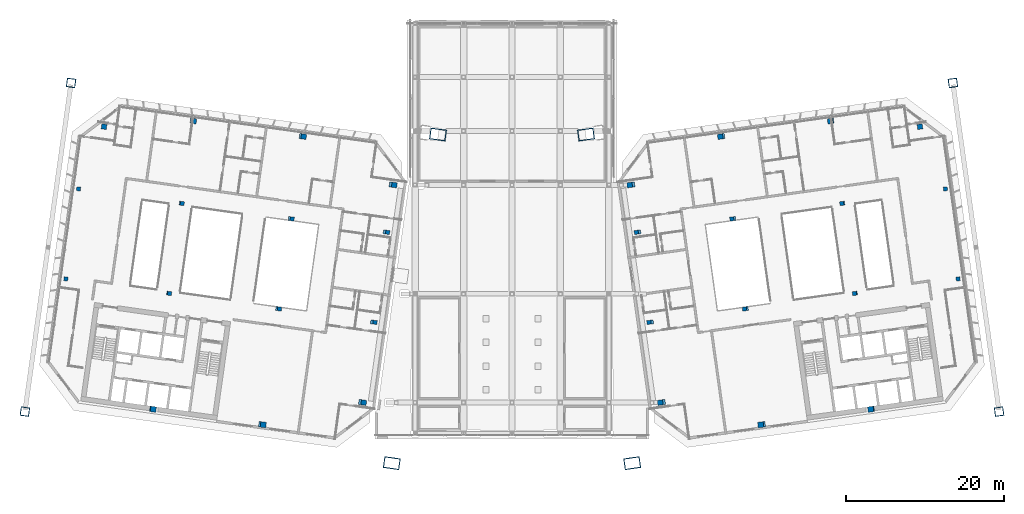
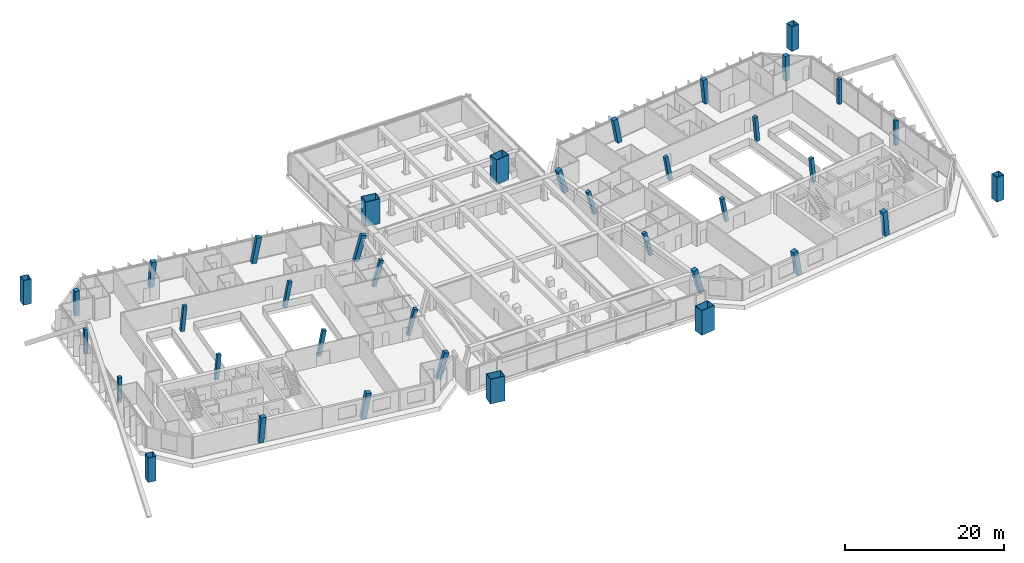
# One storey, part 1 of 28: 38 columns.
"""IFC4 building model written with IfcOpenShell, lengths in metres."""

from ifc_helpers import new_model, si_unit, direction, frame, origin, origin_2d, place, context, subcontext, project, spatial, rectangle, hollow_rectangle, extrude, material, material_profile, profile_set, type_object, element, save


model = new_model("IFC4")

# Units and contexts
model_context = context("Model", 3, precision=1e-05, world=origin(), true_north=direction((0.0, 1.0)))
body_context = subcontext(model_context, "Body", "Model", "MODEL_VIEW")
ifc_project = project(units=[si_unit("LENGTHUNIT", "METRE"), si_unit("AREAUNIT", "SQUARE_METRE"), si_unit("VOLUMEUNIT", "CUBIC_METRE"), si_unit("PLANEANGLEUNIT", "RADIAN"), si_unit("MASSUNIT", "GRAM", prefix="KILO")], contexts=[model_context])

# Site, building, storey
site_placement = place(None, origin())
site = spatial("IfcSite", under=ifc_project, at=site_placement, CompositionType="ELEMENT")
building_placement = place(site_placement, origin())
building = spatial("IfcBuilding", under=site, at=building_placement, Name="Mirante Cascada Hotel Towers", CompositionType="ELEMENT")
storey_placement = place(building_placement, frame((0.0, 0.0, 262.2)))
storey = spatial("IfcBuildingStorey", under=building, at=storey_placement, Name="L63", CompositionType="ELEMENT", Elevation=262.2)

# Columns
ifc_material_1 = material(Name="Steel ASTM A572 Gr 50", Category="steel")
ifc_material_profile_1 = material_profile(ifc_material_1, hollow_rectangle(XDim=1.1, YDim=1.1, WallThickness=0.05, at=origin_2d()), Name="Box column 1100x1100x50 ASTM A572 Gr 50")
ifc_profile_set_1 = profile_set([ifc_material_profile_1], Name="Steel ASTM A572 Gr 50")
column_type_1 = type_object("IfcColumnType", Name="Box column 1100x1100x50 ASTM A572 Gr 50", PredefinedType="COLUMN", material=ifc_profile_set_1)
for number, where, z_axis, x_axis, name in (
    (1, (-55.7951, 22.8316, 0.0), (0.0, 0.0, 1.0), (-0.9902681, 0.1391731, 0.0), "Mega column MC3 T1 L63"),
    (2, (-61.6404, -18.7596, 0.0), (0.0, 0.0, 1.0), (-0.9902681, 0.1391731, 0.0), "Mega column MC4 T1 L63"),
    (3, (55.7951, 22.8316, 0.0), (0.0, 0.0, 1.0), (0.9902681, 0.1391731, 0.0), "Mega column MC3 T2 L63"),
    (4, (61.6404, -18.7596, 0.0), (0.0, 0.0, 1.0), (0.9902681, 0.1391731, 0.0), "Mega column MC4 T2 L63"),
):
    element("IfcColumn", number, at=place(storey_placement, frame(where, z_axis=z_axis, x_axis=x_axis)), inside=storey, type_object=column_type_1, Name=name, PredefinedType="COLUMN", context=body_context, shape_type="SweptSolid", body=[
        extrude(hollow_rectangle(XDim=1.1, YDim=1.1, WallThickness=0.05, at=origin_2d()), origin(), (0.0, 0.0, 1.0), 3.8),
    ])
ifc_material_2 = material(Name="Steel ASTM A572 Gr 50", Category="steel")
ifc_material_profile_2 = material_profile(ifc_material_2, hollow_rectangle(XDim=2.0, YDim=1.4, WallThickness=0.06, at=origin_2d()), Name="Box column 1400x2000x60 ASTM A572 Gr 50")
ifc_profile_set_2 = profile_set([ifc_material_profile_2], Name="Steel ASTM A572 Gr 50")
column_type_2 = type_object("IfcColumnType", Name="Box column 1400x2000x60 ASTM A572 Gr 50", PredefinedType="COLUMN", material=ifc_profile_set_2)
for number, where, z_axis, x_axis, name in (
    (5, (-9.3662, 16.3065, 0.0), (0.0, 0.0, 1.0), (-0.9902681, 0.1391731, 0.0), "Mega column MC1 T1 L63"),
    (6, (-15.2115, -25.2848, 0.0), (0.0, 0.0, 1.0), (-0.9902681, 0.1391731, 0.0), "Mega column MC2 T1 L63"),
    (7, (9.3662, 16.3065, 0.0), (0.0, 0.0, 1.0), (0.9902681, 0.1391731, 0.0), "Mega column MC1 T2 L63"),
    (8, (15.2115, -25.2848, 0.0), (0.0, 0.0, 1.0), (0.9902681, 0.1391731, 0.0), "Mega column MC2 T2 L63"),
):
    element("IfcColumn", number, at=place(storey_placement, frame(where, z_axis=z_axis, x_axis=x_axis)), inside=storey, type_object=column_type_2, Name=name, PredefinedType="COLUMN", context=body_context, shape_type="SweptSolid", body=[
        extrude(hollow_rectangle(XDim=2.0, YDim=1.4, WallThickness=0.06, at=origin_2d()), origin(), (0.0, 0.0, 1.0), 3.8),
    ])
ifc_material_3 = material(Name="Concrete C50/60", Category="concrete")
ifc_material_profile_3 = material_profile(ifc_material_3, rectangle(XDim=0.5, YDim=0.5, at=origin_2d()), Name="RC column 500x500 C50/60")
ifc_profile_set_3 = profile_set([ifc_material_profile_3], Name="Concrete C50/60")
column_type_3 = type_object("IfcColumnType", Name="RC column 500x500 C50/60", PredefinedType="COLUMN", material=ifc_profile_set_3)
column_1_placement = place(storey_placement, frame((-16.0531, 3.967, 0.0039), z_axis=(0.2596162, -0.0364664, 0.9650231), x_axis=(0.1390972, 0.9902787, 0.0)))
element("IfcColumn", 9, at=column_1_placement, inside=storey, type_object=column_type_3, Name="Column T1 L63 2", PredefinedType="COLUMN", context=body_context, shape_type="SweptSolid", body=[
    extrude(rectangle(XDim=0.5, YDim=0.5, at=origin_2d()), origin(), (0.0, 0.0, 1.0), 3.9296),
])
column_2_placement = place(storey_placement, frame((-17.6536, -7.421, 0.0039), z_axis=(0.259616, -0.0364918, 0.9650222), x_axis=(0.1391924, 0.9902654, 0.0)))
element("IfcColumn", 10, at=column_2_placement, inside=storey, type_object=column_type_3, Name="Column T1 L63 3", PredefinedType="COLUMN", context=body_context, shape_type="SweptSolid", body=[
    extrude(rectangle(XDim=0.5, YDim=0.5, at=origin_2d()), origin(), (0.0, 0.0, 1.0), 3.9297),
])
for number, where, z_axis, x_axis, name in (
    (11, (-28.0406, 5.6518, 0.0039), (0.1832165, -0.0257592, 0.982735), (0.1392248, 0.9902608, 0.0), "Column T1 L63 6"),
    (12, (-29.6411, -5.7363, 0.0039), (0.1832416, -0.025759, 0.9827304), (0.1392055, 0.9902635, 0.0), "Column T1 L63 7"),
):
    element("IfcColumn", number, at=place(storey_placement, frame(where, z_axis=z_axis, x_axis=x_axis)), inside=storey, type_object=column_type_3, Name=name, PredefinedType="COLUMN", context=body_context, shape_type="SweptSolid", body=[
        extrude(rectangle(XDim=0.5, YDim=0.5, at=origin_2d()), origin(), (0.0, 0.0, 1.0), 3.8588),
    ])
for number, where, z_axis, x_axis, name in (
    (13, (-41.8427, 7.5915, 0.004), (0.0928382, -0.0130488, 0.9955957), (0.1391862, 0.9902662, 0.0), "Column T1 L63 10"),
    (14, (-43.4432, -3.7966, 0.004), (0.0928383, -0.0130226, 0.995596), (0.1389115, 0.9903048, 0.0), "Column T1 L63 11"),
):
    element("IfcColumn", number, at=place(storey_placement, frame(where, z_axis=z_axis, x_axis=x_axis)), inside=storey, type_object=column_type_3, Name=name, PredefinedType="COLUMN", context=body_context, shape_type="SweptSolid", body=[
        extrude(rectangle(XDim=0.5, YDim=0.5, at=origin_2d()), origin(), (0.0, 0.0, 1.0), 3.8088),
    ])
for number, where, z_axis, x_axis, name in (
    (15, (-54.8525, 9.4199, 0.0), (0.0, 0.0, 1.0), (-0.9902681, 0.1391731, 0.0), "Column T1 L63 14"),
    (16, (-56.453, -1.9681, 0.0), (0.0, 0.0, 1.0), (-0.9902681, 0.1391731, 0.0), "Column T1 L63 15"),
):
    element("IfcColumn", number, at=place(storey_placement, frame(where, z_axis=z_axis, x_axis=x_axis)), inside=storey, type_object=column_type_3, Name=name, PredefinedType="COLUMN", context=body_context, shape_type="SweptSolid", body=[
        extrude(rectangle(XDim=0.5, YDim=0.5, at=origin_2d()), origin(), (0.0, 0.0, 1.0), 3.8),
    ])
column_3_placement = place(storey_placement, frame((16.0531, 3.967, 0.0039), z_axis=(-0.2596162, -0.0364664, 0.9650231), x_axis=(0.1390972, -0.9902787, 0.0)))
element("IfcColumn", 17, at=column_3_placement, inside=storey, type_object=column_type_3, Name="Column T2 L63 2", PredefinedType="COLUMN", context=body_context, shape_type="SweptSolid", body=[
    extrude(rectangle(XDim=0.5, YDim=0.5, at=origin_2d()), origin(), (0.0, 0.0, 1.0), 3.9296),
])
column_4_placement = place(storey_placement, frame((17.6536, -7.421, 0.0039), z_axis=(-0.259616, -0.0364918, 0.9650222), x_axis=(0.1391924, -0.9902654, 0.0)))
element("IfcColumn", 18, at=column_4_placement, inside=storey, type_object=column_type_3, Name="Column T2 L63 3", PredefinedType="COLUMN", context=body_context, shape_type="SweptSolid", body=[
    extrude(rectangle(XDim=0.5, YDim=0.5, at=origin_2d()), origin(), (0.0, 0.0, 1.0), 3.9297),
])
for number, where, z_axis, x_axis, name in (
    (19, (28.0406, 5.6518, 0.0039), (-0.1832165, -0.0257592, 0.982735), (0.1392248, -0.9902608, 0.0), "Column T2 L63 6"),
    (20, (29.6411, -5.7363, 0.0039), (-0.1832416, -0.025759, 0.9827304), (0.1392055, -0.9902635, 0.0), "Column T2 L63 7"),
):
    element("IfcColumn", number, at=place(storey_placement, frame(where, z_axis=z_axis, x_axis=x_axis)), inside=storey, type_object=column_type_3, Name=name, PredefinedType="COLUMN", context=body_context, shape_type="SweptSolid", body=[
        extrude(rectangle(XDim=0.5, YDim=0.5, at=origin_2d()), origin(), (0.0, 0.0, 1.0), 3.8588),
    ])
for number, where, z_axis, x_axis, name in (
    (21, (41.8427, 7.5915, 0.004), (-0.0928382, -0.0130488, 0.9955957), (0.1391862, -0.9902662, 0.0), "Column T2 L63 10"),
    (22, (43.4432, -3.7966, 0.004), (-0.0928383, -0.0130226, 0.995596), (0.1389115, -0.9903048, 0.0), "Column T2 L63 11"),
):
    element("IfcColumn", number, at=place(storey_placement, frame(where, z_axis=z_axis, x_axis=x_axis)), inside=storey, type_object=column_type_3, Name=name, PredefinedType="COLUMN", context=body_context, shape_type="SweptSolid", body=[
        extrude(rectangle(XDim=0.5, YDim=0.5, at=origin_2d()), origin(), (0.0, 0.0, 1.0), 3.8088),
    ])
for number, where, z_axis, x_axis, name in (
    (23, (54.8525, 9.4199, 0.0), (0.0, 0.0, 1.0), (0.9902681, 0.1391731, 0.0), "Column T2 L63 14"),
    (24, (56.453, -1.9681, 0.0), (0.0, 0.0, 1.0), (0.9902681, 0.1391731, 0.0), "Column T2 L63 15"),
):
    element("IfcColumn", number, at=place(storey_placement, frame(where, z_axis=z_axis, x_axis=x_axis)), inside=storey, type_object=column_type_3, Name=name, PredefinedType="COLUMN", context=body_context, shape_type="SweptSolid", body=[
        extrude(rectangle(XDim=0.5, YDim=0.5, at=origin_2d()), origin(), (0.0, 0.0, 1.0), 3.8),
    ])
ifc_material_4 = material(Name="Concrete C50/60", Category="concrete")
ifc_material_profile_4 = material_profile(ifc_material_4, rectangle(XDim=0.65, YDim=0.65, at=origin_2d()), Name="RC column 650x650 C50/60")
ifc_profile_set_4 = profile_set([ifc_material_profile_4], Name="Concrete C50/60")
column_type_4 = type_object("IfcColumnType", Name="RC column 650x650 C50/60", PredefinedType="COLUMN", material=ifc_profile_set_4)
for number, where, z_axis, x_axis, name in (
    (25, (-15.2111, 9.9582, 0.0039), (0.259616, -0.0364918, 0.9650222), (0.1391924, 0.9902654, 0.0), "Column T1 L63 1"),
    (26, (-19.0801, -17.5713, 0.0039), (0.259616, -0.0364918, 0.9650222), (0.1391924, 0.9902654, 0.0), "Column T1 L63 4"),
):
    element("IfcColumn", number, at=place(storey_placement, frame(where, z_axis=z_axis, x_axis=x_axis)), inside=storey, type_object=column_type_4, Name=name, PredefinedType="COLUMN", context=body_context, shape_type="SweptSolid", body=[
        extrude(rectangle(XDim=0.65, YDim=0.65, at=origin_2d()), origin(), (0.0, 0.0, 1.0), 3.9297),
    ])
column_5_placement = place(storey_placement, frame((-26.5758, 16.0743, 0.0039), z_axis=(0.1832166, -0.0257333, 0.9827357), x_axis=(0.1390874, 0.9902801, 0.0)))
element("IfcColumn", 27, at=column_5_placement, inside=storey, type_object=column_type_4, Name="Column T1 L63 5", PredefinedType="COLUMN", context=body_context, shape_type="SweptSolid", body=[
    extrude(rectangle(XDim=0.65, YDim=0.65, at=origin_2d()), origin(), (0.0, 0.0, 1.0), 3.8588),
])
column_6_placement = place(storey_placement, frame((-40.3779, 18.0141, 0.004), z_axis=(0.0928122, -0.0130488, 0.9955981), x_axis=(0.1392248, 0.9902608, 0.0)))
element("IfcColumn", 28, at=column_6_placement, inside=storey, type_object=column_type_4, Name="Column T1 L63 9", PredefinedType="COLUMN", context=body_context, shape_type="SweptSolid", body=[
    extrude(rectangle(XDim=0.65, YDim=0.65, at=origin_2d()), origin(), (0.0, 0.0, 1.0), 3.8088),
])
column_7_placement = place(storey_placement, frame((-51.6248, 17.2974, 0.0), z_axis=(0.0, 0.0, 1.0), x_axis=(-0.9902681, 0.1391731, 0.0)))
element("IfcColumn", 29, at=column_7_placement, inside=storey, type_object=column_type_4, Name="Column T1 L63 13", PredefinedType="COLUMN", context=body_context, shape_type="SweptSolid", body=[
    extrude(rectangle(XDim=0.65, YDim=0.65, at=origin_2d()), origin(), (0.0, 0.0, 1.0), 3.8),
])
for number, where, z_axis, x_axis, name in (
    (30, (15.2111, 9.9582, 0.0039), (-0.259616, -0.0364918, 0.9650222), (0.1391924, -0.9902654, 0.0), "Column T2 L63 1"),
    (31, (19.0801, -17.5713, 0.0039), (-0.259616, -0.0364918, 0.9650222), (0.1391924, -0.9902654, 0.0), "Column T2 L63 4"),
):
    element("IfcColumn", number, at=place(storey_placement, frame(where, z_axis=z_axis, x_axis=x_axis)), inside=storey, type_object=column_type_4, Name=name, PredefinedType="COLUMN", context=body_context, shape_type="SweptSolid", body=[
        extrude(rectangle(XDim=0.65, YDim=0.65, at=origin_2d()), origin(), (0.0, 0.0, 1.0), 3.9297),
    ])
column_8_placement = place(storey_placement, frame((26.5758, 16.0743, 0.0039), z_axis=(-0.1832166, -0.0257333, 0.9827357), x_axis=(0.1390874, -0.9902801, 0.0)))
element("IfcColumn", 32, at=column_8_placement, inside=storey, type_object=column_type_4, Name="Column T2 L63 5", PredefinedType="COLUMN", context=body_context, shape_type="SweptSolid", body=[
    extrude(rectangle(XDim=0.65, YDim=0.65, at=origin_2d()), origin(), (0.0, 0.0, 1.0), 3.8588),
])
column_9_placement = place(storey_placement, frame((40.3779, 18.0141, 0.004), z_axis=(-0.0928122, -0.0130488, 0.9955981), x_axis=(0.1392248, -0.9902608, 0.0)))
element("IfcColumn", 33, at=column_9_placement, inside=storey, type_object=column_type_4, Name="Column T2 L63 9", PredefinedType="COLUMN", context=body_context, shape_type="SweptSolid", body=[
    extrude(rectangle(XDim=0.65, YDim=0.65, at=origin_2d()), origin(), (0.0, 0.0, 1.0), 3.8088),
])
column_10_placement = place(storey_placement, frame((51.6248, 17.2974, 0.0), z_axis=(0.0, 0.0, 1.0), x_axis=(0.9902681, 0.1391731, 0.0)))
element("IfcColumn", 34, at=column_10_placement, inside=storey, type_object=column_type_4, Name="Column T2 L63 13", PredefinedType="COLUMN", context=body_context, shape_type="SweptSolid", body=[
    extrude(rectangle(XDim=0.65, YDim=0.65, at=origin_2d()), origin(), (0.0, 0.0, 1.0), 3.8),
])
ifc_material_5 = material(Name="Concrete C50/60", Category="concrete")
ifc_material_profile_5 = material_profile(ifc_material_5, rectangle(XDim=0.7, YDim=0.7, at=origin_2d()), Name="RC column 700x700 C50/60")
ifc_profile_set_5 = profile_set([ifc_material_profile_5], Name="Concrete C50/60")
column_type_5 = type_object("IfcColumnType", Name="RC column 700x700 C50/60", PredefinedType="COLUMN", material=ifc_profile_set_5)
column_11_placement = place(storey_placement, frame((-31.7009, -20.3923, 0.0039), z_axis=(0.1832417, -0.0257331, 0.982731), x_axis=(0.1390681, 0.9902828, 0.0)))
element("IfcColumn", 35, at=column_11_placement, inside=storey, type_object=column_type_5, Name="Column T1 L63 8", PredefinedType="COLUMN", context=body_context, shape_type="SweptSolid", body=[
    extrude(rectangle(XDim=0.7, YDim=0.7, at=origin_2d()), origin(), (0.0, 0.0, 1.0), 3.8588),
])
column_12_placement = place(storey_placement, frame((-45.5029, -18.4525, 0.004), z_axis=(0.0928122, -0.0130488, 0.9955981), x_axis=(0.1392248, 0.9902608, 0.0)))
element("IfcColumn", 36, at=column_12_placement, inside=storey, type_object=column_type_5, Name="Column T1 L63 12", PredefinedType="COLUMN", context=body_context, shape_type="SweptSolid", body=[
    extrude(rectangle(XDim=0.7, YDim=0.7, at=origin_2d()), origin(), (0.0, 0.0, 1.0), 3.8088),
])
column_13_placement = place(storey_placement, frame((31.7009, -20.3923, 0.0039), z_axis=(-0.1832417, -0.0257331, 0.982731), x_axis=(0.1390681, -0.9902828, 0.0)))
element("IfcColumn", 37, at=column_13_placement, inside=storey, type_object=column_type_5, Name="Column T2 L63 8", PredefinedType="COLUMN", context=body_context, shape_type="SweptSolid", body=[
    extrude(rectangle(XDim=0.7, YDim=0.7, at=origin_2d()), origin(), (0.0, 0.0, 1.0), 3.8588),
])
column_14_placement = place(storey_placement, frame((45.5029, -18.4525, 0.004), z_axis=(-0.0928122, -0.0130488, 0.9955981), x_axis=(0.1392248, -0.9902608, 0.0)))
element("IfcColumn", 38, at=column_14_placement, inside=storey, type_object=column_type_5, Name="Column T2 L63 12", PredefinedType="COLUMN", context=body_context, shape_type="SweptSolid", body=[
    extrude(rectangle(XDim=0.7, YDim=0.7, at=origin_2d()), origin(), (0.0, 0.0, 1.0), 3.8088),
])

save(model, "model.ifc")
